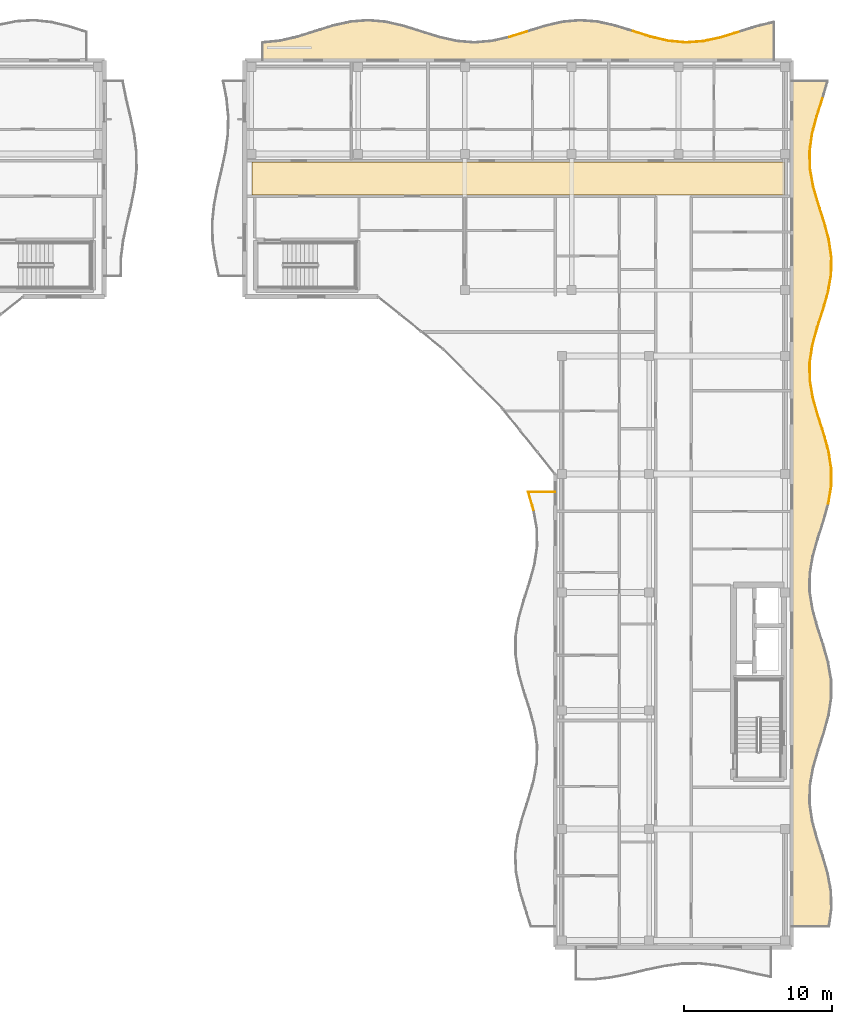
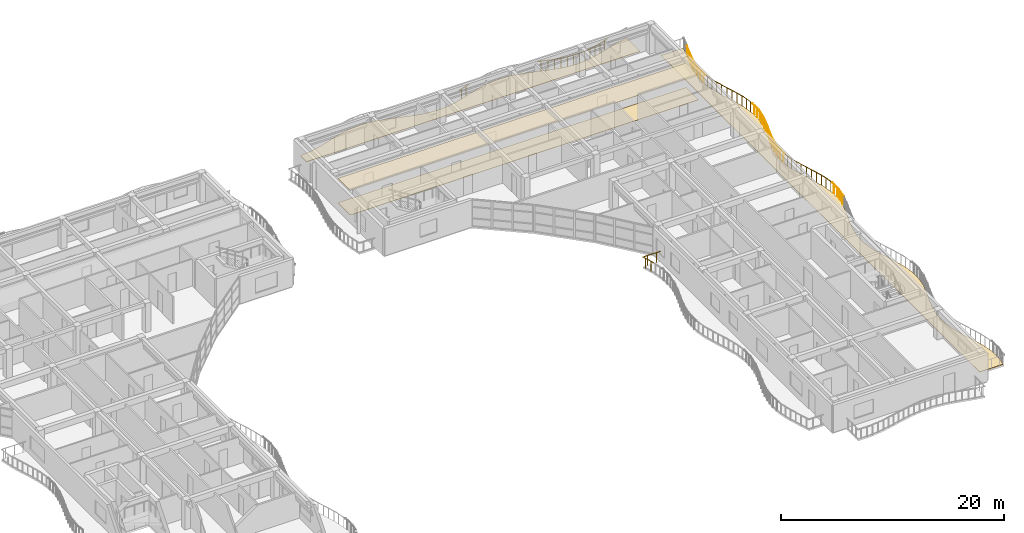
# One storey, part 75 of 76: 32 railings, 4 coverings.
"""IFC4 building model written with IfcOpenShell, lengths in metres."""

from ifc_helpers import new_model, si_unit, direction, frame, origin, origin_2d, place, context, subcontext, project, spatial, polyline, circle, outline, extrude, material, layer, layer_set, type_object, element, save


model = new_model("IFC4")

# Units and contexts
model_context = context("Model", 3, precision=1e-05, world=origin(), true_north=direction((0.0, 1.0)))
body_context = subcontext(model_context, "Body", "Model", "MODEL_VIEW")
ifc_project = project(units=[si_unit("LENGTHUNIT", "METRE"), si_unit("AREAUNIT", "SQUARE_METRE"), si_unit("VOLUMEUNIT", "CUBIC_METRE"), si_unit("PLANEANGLEUNIT", "RADIAN"), si_unit("MASSUNIT", "GRAM", prefix="KILO")], contexts=[model_context])

# Site, building, storey
site_placement = place(None, origin())
site = spatial("IfcSite", under=ifc_project, at=site_placement, CompositionType="ELEMENT")
building_placement = place(site_placement, origin())
building = spatial("IfcBuilding", under=site, at=building_placement, Name="Keldmere Railside Commons", CompositionType="ELEMENT")
storey_placement = place(building_placement, frame((0.0, 0.0, 13.760009765625)))
storey = spatial("IfcBuildingStorey", under=building, at=storey_placement, Name="L04", CompositionType="ELEMENT", Elevation=13.760009765625)

# Railings
ifc_material_1 = material(Name="Steel F-24 (S235)", Category="steel")
railing_type = type_object("IfcRailingType", Name="Balcony & Terrace Steel Balustrade 1100", PredefinedType="BALUSTRADE", material=ifc_material_1)
railing_1_placement = place(storey_placement, frame((164.9033203125, 117.572021484375, 0.0)))
element("IfcRailing", 1, at=railing_1_placement, inside=storey, type_object=railing_type, Name="GR-1 GRD-L04-3570", PredefinedType="BALUSTRADE", context=body_context, shape_type="SweptSolid", body=[
    extrude(circle(Radius=0.02392578125, at=origin_2d()), frame((0.0, 0.0, 1.076171875), z_axis=(0.954618876853, 0.297830152864, 0.0), x_axis=(-0.297830152864, 0.954618876853, 0.0)), (0.0, 0.0, 1.0), 1.25),
    extrude(circle(Radius=0.02099609375, at=origin_2d()), frame((0.29833984375, 0.093017578125, 0.0)), (0.0, 0.0, 1.0), 1.048095703125),
    extrude(circle(Radius=0.02099609375, at=origin_2d()), frame((0.89501953125, 0.279296875, 0.0)), (0.0, 0.0, 1.0), 1.048095703125),
])
railing_2_placement = place(storey_placement, frame((173.255126953125, 117.96923828125, 0.0)))
element("IfcRailing", 2, at=railing_2_placement, inside=storey, type_object=railing_type, Name="GR-1 GRD-L04-3577", PredefinedType="BALUSTRADE", context=body_context, shape_type="SweptSolid", body=[
    extrude(circle(Radius=0.02392578125, at=origin_2d()), frame((0.0, 0.0, 1.076171875), z_axis=(0.953877200015, -0.30019708075, 0.0), x_axis=(0.30019708075, 0.953877200015, 0.0)), (0.0, 0.0, 1.0), 1.250732421875),
    extrude(circle(Radius=0.02099609375, at=origin_2d()), frame((0.29833984375, -0.09375, 0.0)), (0.0, 0.0, 1.0), 1.048095703125),
    extrude(circle(Radius=0.02099609375, at=origin_2d()), frame((0.894775390625, -0.28173828125, 0.0)), (0.0, 0.0, 1.0), 1.048095703125),
])
railing_3_placement = place(storey_placement, frame((174.4482421875, 117.59375, 0.0)))
element("IfcRailing", 3, at=railing_3_placement, inside=storey, type_object=railing_type, Name="GR-1 GRD-L04-3578", PredefinedType="BALUSTRADE", context=body_context, shape_type="SweptSolid", body=[
    extrude(circle(Radius=0.02392578125, at=origin_2d()), frame((0.0, 0.0, 1.076171875), z_axis=(0.97332305394, -0.229438951942, 0.0), x_axis=(0.229438951942, 0.97332305394, 0.0)), (0.0, 0.0, 1.0), 1.225830078125),
    extrude(circle(Radius=0.02099609375, at=origin_2d()), frame((0.29833984375, -0.0703125, 0.0)), (0.0, 0.0, 1.0), 1.048095703125),
    extrude(circle(Radius=0.02099609375, at=origin_2d()), frame((0.894775390625, -0.2109375, 0.0)), (0.0, 0.0, 1.0), 1.048095703125),
])
railing_4_placement = place(storey_placement, frame((175.641357421875, 117.3125, 0.0)))
element("IfcRailing", 4, at=railing_4_placement, inside=storey, type_object=railing_type, Name="GR-1 GRD-L04-3579", PredefinedType="BALUSTRADE", context=body_context, shape_type="SweptSolid", body=[
    extrude(circle(Radius=0.02392578125, at=origin_2d()), frame((0.0, 0.0, 1.076171875), z_axis=(0.995618236686, -0.093511105103, 0.0), x_axis=(0.093511105103, 0.995618236686, 0.0)), (0.0, 0.0, 1.0), 1.198486328125),
    extrude(circle(Radius=0.02099609375, at=origin_2d()), frame((0.29833984375, -0.028076171875, 0.0)), (0.0, 0.0, 1.0), 1.048095703125),
    extrude(circle(Radius=0.02099609375, at=origin_2d()), frame((0.894775390625, -0.083984375, 0.0)), (0.0, 0.0, 1.0), 1.048095703125),
])
railing_5_placement = place(storey_placement, frame((176.83447265625, 117.200439453125, 0.0)))
element("IfcRailing", 5, at=railing_5_placement, inside=storey, type_object=railing_type, Name="GR-1 GRD-L04-3580", PredefinedType="BALUSTRADE", context=body_context, shape_type="SweptSolid", body=[
    extrude(circle(Radius=0.02392578125, at=origin_2d()), frame((0.0, 0.0, 1.076171875), z_axis=(0.99738671457, 0.072247779201, 0.0), x_axis=(-0.072247779201, 0.99738671457, 0.0)), (0.0, 0.0, 1.0), 1.1962890625),
    extrude(circle(Radius=0.02099609375, at=origin_2d()), frame((0.29833984375, 0.021484375, 0.0)), (0.0, 0.0, 1.0), 1.048095703125),
    extrude(circle(Radius=0.02099609375, at=origin_2d()), frame((0.894775390625, 0.06494140625, 0.0)), (0.0, 0.0, 1.0), 1.048095703125),
])
railing_6_placement = place(storey_placement, frame((178.027587890625, 117.286865234375, 0.0)))
element("IfcRailing", 6, at=railing_6_placement, inside=storey, type_object=railing_type, Name="GR-1 GRD-L04-3581", PredefinedType="BALUSTRADE", context=body_context, shape_type="SweptSolid", body=[
    extrude(circle(Radius=0.02392578125, at=origin_2d()), frame((0.0, 0.0, 1.076171875), z_axis=(0.97673413336, 0.21445380092, 0.0), x_axis=(-0.21445380092, 0.97673413336, 0.0)), (0.0, 0.0, 1.0), 1.221435546875),
    extrude(circle(Radius=0.02099609375, at=origin_2d()), frame((0.29833984375, 0.0654296875, 0.0)), (0.0, 0.0, 1.0), 1.048095703125),
    extrude(circle(Radius=0.02099609375, at=origin_2d()), frame((0.894775390625, 0.196533203125, 0.0)), (0.0, 0.0, 1.0), 1.048095703125),
])
railing_7_placement = place(storey_placement, frame((179.220703125, 117.548828125, 0.0)))
element("IfcRailing", 7, at=railing_7_placement, inside=storey, type_object=railing_type, Name="GR-1 GRD-L04-3582", PredefinedType="BALUSTRADE", context=body_context, shape_type="SweptSolid", body=[
    extrude(circle(Radius=0.02392578125, at=origin_2d()), frame((0.0, 0.0, 1.076171875), z_axis=(0.955486849808, 0.295033692728, 0.0), x_axis=(-0.295033692728, 0.955486849808, 0.0)), (0.0, 0.0, 1.0), 1.248779296875),
    extrude(circle(Radius=0.02099609375, at=origin_2d()), frame((0.29833984375, 0.092041015625, 0.0)), (0.0, 0.0, 1.0), 1.048095703125),
    extrude(circle(Radius=0.02099609375, at=origin_2d()), frame((0.894775390625, 0.2763671875, 0.0)), (0.0, 0.0, 1.0), 1.048095703125),
])
railing_8_placement = place(storey_placement, frame((166.53662109375, 85.574951171875, 0.0)))
element("IfcRailing", 8, at=railing_8_placement, inside=storey, type_object=railing_type, Name="GR-1 GRD-L04-3610", PredefinedType="BALUSTRADE", context=body_context, shape_type="SweptSolid", body=[
    extrude(circle(Radius=0.02392578125, at=origin_2d()), frame((0.0, 0.0, 1.076171875), z_axis=(-0.280954609936, 0.959721056951, 0.0), x_axis=(-0.959721056951, -0.280954609936, 0.0)), (0.0, 0.0, 1.0), 1.276611328125),
    extrude(circle(Radius=0.02099609375, at=origin_2d()), frame((-0.089599609375, 0.30615234375, 0.0)), (0.0, 0.0, 1.0), 1.048095703125),
    extrude(circle(Radius=0.02099609375, at=origin_2d()), frame((-0.26904296875, 0.9189453125, 0.0)), (0.0, 0.0, 1.0), 1.048095703125),
])
railing_9_placement = place(storey_placement, frame((166.177978515625, 86.800048828125, 0.0)))
element("IfcRailing", 9, at=railing_9_placement, inside=storey, type_object=railing_type, Name="GR-1 GRD-L04-3611", PredefinedType="BALUSTRADE", context=body_context, shape_type="SweptSolid", body=[
    extrude(circle(Radius=0.02392578125, at=origin_2d()), frame((0.0, 0.0, 1.076171875), z_axis=(1.0, 0.0, 0.0), x_axis=(0.0, 1.0, 0.0)), (0.0, 0.0, 1.0), 1.822021484375),
    extrude(circle(Radius=0.02099609375, at=origin_2d()), frame((0.45556640625, 0.0, 0.0)), (0.0, 0.0, 1.0), 1.048095703125),
    extrude(circle(Radius=0.02099609375, at=origin_2d()), frame((1.366455078125, 0.0, 0.0)), (0.0, 0.0, 1.0), 1.048095703125),
])
railing_10_placement = place(storey_placement, frame((186.477294921875, 86.0, 0.0)))
element("IfcRailing", 10, at=railing_10_placement, inside=storey, type_object=railing_type, Name="GR-1 GRD-L04-3637", PredefinedType="BALUSTRADE", context=body_context, shape_type="SweptSolid", body=[
    extrude(circle(Radius=0.02392578125, at=origin_2d()), frame((0.0, 0.0, 1.076171875), z_axis=(0.161742750391, 0.986832955822, 0.0), x_axis=(-0.986832955822, 0.161742750391, 0.0)), (0.0, 0.0, 1.0), 1.20751953125),
    extrude(circle(Radius=0.02099609375, at=origin_2d()), frame((0.048828125, 0.2978515625, 0.0)), (0.0, 0.0, 1.0), 1.048095703125),
    extrude(circle(Radius=0.02099609375, at=origin_2d()), frame((0.146484375, 0.893798828125, 0.0)), (0.0, 0.0, 1.0), 1.048095703125),
])
railing_11_placement = place(storey_placement, frame((186.672607421875, 87.191650390625, 0.0)))
element("IfcRailing", 11, at=railing_11_placement, inside=storey, type_object=railing_type, Name="GR-1 GRD-L04-3638", PredefinedType="BALUSTRADE", context=body_context, shape_type="SweptSolid", body=[
    extrude(circle(Radius=0.02392578125, at=origin_2d()), frame((0.0, 0.0, 1.076171875), z_axis=(0.003687743824, 0.99999320025, 0.0), x_axis=(-0.99999320025, 0.003687743824, 0.0)), (0.0, 0.0, 1.0), 1.191650390625),
    extrude(circle(Radius=0.02099609375, at=origin_2d()), frame((0.0009765625, 0.2978515625, 0.0)), (0.0, 0.0, 1.0), 1.048095703125),
    extrude(circle(Radius=0.02099609375, at=origin_2d()), frame((0.00341796875, 0.893798828125, 0.0)), (0.0, 0.0, 1.0), 1.048095703125),
])
railing_12_placement = place(storey_placement, frame((186.677001953125, 88.38330078125, 0.0)))
element("IfcRailing", 12, at=railing_12_placement, inside=storey, type_object=railing_type, Name="GR-1 GRD-L04-3639", PredefinedType="BALUSTRADE", context=body_context, shape_type="SweptSolid", body=[
    extrude(circle(Radius=0.02392578125, at=origin_2d()), frame((0.0, 0.0, 1.076171875), z_axis=(-0.155827474134, 0.987784287335, 0.0), x_axis=(-0.987784287335, -0.155827474134, 0.0)), (0.0, 0.0, 1.0), 1.206298828125),
    extrude(circle(Radius=0.02099609375, at=origin_2d()), frame((-0.046875, 0.2978515625, 0.0)), (0.0, 0.0, 1.0), 1.048095703125),
    extrude(circle(Radius=0.02099609375, at=origin_2d()), frame((-0.14111328125, 0.893798828125, 0.0)), (0.0, 0.0, 1.0), 1.048095703125),
])
railing_13_placement = place(storey_placement, frame((186.489013671875, 89.574951171875, 0.0)))
element("IfcRailing", 13, at=railing_13_placement, inside=storey, type_object=railing_type, Name="GR-1 GRD-L04-3640", PredefinedType="BALUSTRADE", context=body_context, shape_type="SweptSolid", body=[
    extrude(circle(Radius=0.02392578125, at=origin_2d()), frame((0.0, 0.0, 1.076171875), z_axis=(-0.267124507131, 0.963662024618, 0.0), x_axis=(-0.963662024618, -0.267124507131, 0.0)), (0.0, 0.0, 1.0), 1.236572265625),
    extrude(circle(Radius=0.02099609375, at=origin_2d()), frame((-0.08251953125, 0.2978515625, 0.0)), (0.0, 0.0, 1.0), 1.048095703125),
    extrude(circle(Radius=0.02099609375, at=origin_2d()), frame((-0.247802734375, 0.893798828125, 0.0)), (0.0, 0.0, 1.0), 1.048095703125),
])
railing_14_placement = place(storey_placement, frame((186.15869140625, 90.7666015625, 0.0)))
element("IfcRailing", 14, at=railing_14_placement, inside=storey, type_object=railing_type, Name="GR-1 GRD-L04-3641", PredefinedType="BALUSTRADE", context=body_context, shape_type="SweptSolid", body=[
    extrude(circle(Radius=0.02392578125, at=origin_2d()), frame((0.0, 0.0, 1.076171875), z_axis=(-0.307617856701, 0.951509986411, 0.0), x_axis=(-0.951509986411, -0.307617856701, 0.0)), (0.0, 0.0, 1.0), 1.25244140625),
    extrude(circle(Radius=0.02099609375, at=origin_2d()), frame((-0.09619140625, 0.2978515625, 0.0)), (0.0, 0.0, 1.0), 1.048095703125),
    extrude(circle(Radius=0.02099609375, at=origin_2d()), frame((-0.2890625, 0.893798828125, 0.0)), (0.0, 0.0, 1.0), 1.048095703125),
])
railing_15_placement = place(storey_placement, frame((185.7734375, 91.958251953125, 0.0)))
element("IfcRailing", 15, at=railing_15_placement, inside=storey, type_object=railing_type, Name="GR-1 GRD-L04-3642", PredefinedType="BALUSTRADE", context=body_context, shape_type="SweptSolid", body=[
    extrude(circle(Radius=0.02392578125, at=origin_2d()), frame((0.0, 0.0, 1.076171875), z_axis=(-0.273523663291, 0.961865274152, 0.0), x_axis=(-0.961865274152, -0.273523663291, 0.0)), (0.0, 0.0, 1.0), 1.239013671875),
    extrude(circle(Radius=0.02099609375, at=origin_2d()), frame((-0.084716796875, 0.2978515625, 0.0)), (0.0, 0.0, 1.0), 1.048095703125),
    extrude(circle(Radius=0.02099609375, at=origin_2d()), frame((-0.254150390625, 0.893798828125, 0.0)), (0.0, 0.0, 1.0), 1.048095703125),
])
railing_16_placement = place(storey_placement, frame((185.4345703125, 93.14990234375, 0.0)))
element("IfcRailing", 16, at=railing_16_placement, inside=storey, type_object=railing_type, Name="GR-1 GRD-L04-3643", PredefinedType="BALUSTRADE", context=body_context, shape_type="SweptSolid", body=[
    extrude(circle(Radius=0.02392578125, at=origin_2d()), frame((0.0, 0.0, 1.076171875), z_axis=(-0.167607269788, 0.985853844702, 0.0), x_axis=(-0.985853844702, -0.167607269788, 0.0)), (0.0, 0.0, 1.0), 1.208984375),
    extrude(circle(Radius=0.02099609375, at=origin_2d()), frame((-0.05078125, 0.2978515625, 0.0)), (0.0, 0.0, 1.0), 1.048095703125),
    extrude(circle(Radius=0.02099609375, at=origin_2d()), frame((-0.15185546875, 0.89404296875, 0.0)), (0.0, 0.0, 1.0), 1.048095703125),
])
railing_17_placement = place(storey_placement, frame((185.23193359375, 94.341796875, 0.0)))
element("IfcRailing", 17, at=railing_17_placement, inside=storey, type_object=railing_type, Name="GR-1 GRD-L04-3644", PredefinedType="BALUSTRADE", context=body_context, shape_type="SweptSolid", body=[
    extrude(circle(Radius=0.02392578125, at=origin_2d()), frame((0.0, 0.0, 1.076171875), z_axis=(-0.010655132805, 0.999943232461, 0.0), x_axis=(-0.999943232461, -0.010655132805, 0.0)), (0.0, 0.0, 1.0), 1.19140625),
    extrude(circle(Radius=0.02099609375, at=origin_2d()), frame((-0.003173828125, 0.2978515625, 0.0)), (0.0, 0.0, 1.0), 1.048095703125),
    extrude(circle(Radius=0.02099609375, at=origin_2d()), frame((-0.009521484375, 0.8935546875, 0.0)), (0.0, 0.0, 1.0), 1.048095703125),
])
railing_18_placement = place(storey_placement, frame((185.21923828125, 95.533203125, 0.0)))
element("IfcRailing", 18, at=railing_18_placement, inside=storey, type_object=railing_type, Name="GR-1 GRD-L04-3645", PredefinedType="BALUSTRADE", context=body_context, shape_type="SweptSolid", body=[
    extrude(circle(Radius=0.02392578125, at=origin_2d()), frame((0.0, 0.0, 1.076171875), z_axis=(0.1496673906, 0.988736401773, 0.0), x_axis=(-0.988736401773, 0.1496673906, 0.0)), (0.0, 0.0, 1.0), 1.20556640625),
    extrude(circle(Radius=0.02099609375, at=origin_2d()), frame((0.045166015625, 0.2978515625, 0.0)), (0.0, 0.0, 1.0), 1.048095703125),
    extrude(circle(Radius=0.02099609375, at=origin_2d()), frame((0.13525390625, 0.89404296875, 0.0)), (0.0, 0.0, 1.0), 1.048095703125),
])
railing_19_placement = place(storey_placement, frame((185.399658203125, 96.72509765625, 0.0)))
element("IfcRailing", 19, at=railing_19_placement, inside=storey, type_object=railing_type, Name="GR-1 GRD-L04-3646", PredefinedType="BALUSTRADE", context=body_context, shape_type="SweptSolid", body=[
    extrude(circle(Radius=0.02392578125, at=origin_2d()), frame((0.0, 0.0, 1.076171875), z_axis=(0.263819639005, 0.964572028454, 0.0), x_axis=(-0.964572028454, 0.263819639005, 0.0)), (0.0, 0.0, 1.0), 1.2353515625),
    extrude(circle(Radius=0.02099609375, at=origin_2d()), frame((0.08154296875, 0.2978515625, 0.0)), (0.0, 0.0, 1.0), 1.048095703125),
    extrude(circle(Radius=0.02099609375, at=origin_2d()), frame((0.244384765625, 0.893798828125, 0.0)), (0.0, 0.0, 1.0), 1.048095703125),
])
railing_20_placement = place(storey_placement, frame((185.7255859375, 97.916748046875, 0.0)))
element("IfcRailing", 20, at=railing_20_placement, inside=storey, type_object=railing_type, Name="GR-1 GRD-L04-3647", PredefinedType="BALUSTRADE", context=body_context, shape_type="SweptSolid", body=[
    extrude(circle(Radius=0.02392578125, at=origin_2d()), frame((0.0, 0.0, 1.076171875), z_axis=(0.307441346299, 0.951567033154, 0.0), x_axis=(-0.951567033154, 0.307441346299, 0.0)), (0.0, 0.0, 1.0), 1.252197265625),
    extrude(circle(Radius=0.02099609375, at=origin_2d()), frame((0.09619140625, 0.2978515625, 0.0)), (0.0, 0.0, 1.0), 1.048095703125),
    extrude(circle(Radius=0.02099609375, at=origin_2d()), frame((0.288818359375, 0.893798828125, 0.0)), (0.0, 0.0, 1.0), 1.048095703125),
])
railing_21_placement = place(storey_placement, frame((186.110595703125, 99.1083984375, 0.0)))
element("IfcRailing", 21, at=railing_21_placement, inside=storey, type_object=railing_type, Name="GR-1 GRD-L04-3648", PredefinedType="BALUSTRADE", context=body_context, shape_type="SweptSolid", body=[
    extrude(circle(Radius=0.02392578125, at=origin_2d()), frame((0.0, 0.0, 1.076171875), z_axis=(0.276436998002, 0.9610320422, 0.0), x_axis=(-0.9610320422, 0.276436998002, 0.0)), (0.0, 0.0, 1.0), 1.239990234375),
    extrude(circle(Radius=0.02099609375, at=origin_2d()), frame((0.085693359375, 0.2978515625, 0.0)), (0.0, 0.0, 1.0), 1.048095703125),
    extrude(circle(Radius=0.02099609375, at=origin_2d()), frame((0.257080078125, 0.893798828125, 0.0)), (0.0, 0.0, 1.0), 1.048095703125),
])
railing_22_placement = place(storey_placement, frame((186.453369140625, 100.300048828125, 0.0)))
element("IfcRailing", 22, at=railing_22_placement, inside=storey, type_object=railing_type, Name="GR-1 GRD-L04-3649", PredefinedType="BALUSTRADE", context=body_context, shape_type="SweptSolid", body=[
    extrude(circle(Radius=0.02392578125, at=origin_2d()), frame((0.0, 0.0, 1.076171875), z_axis=(0.173324888306, 0.984864702938, 0.0), x_axis=(-0.984864702938, 0.173324888306, 0.0)), (0.0, 0.0, 1.0), 1.2099609375),
    extrude(circle(Radius=0.02099609375, at=origin_2d()), frame((0.052490234375, 0.2978515625, 0.0)), (0.0, 0.0, 1.0), 1.048095703125),
    extrude(circle(Radius=0.02099609375, at=origin_2d()), frame((0.1572265625, 0.893798828125, 0.0)), (0.0, 0.0, 1.0), 1.048095703125),
])
railing_23_placement = place(storey_placement, frame((186.6630859375, 101.49169921875, 0.0)))
element("IfcRailing", 23, at=railing_23_placement, inside=storey, type_object=railing_type, Name="GR-1 GRD-L04-3650", PredefinedType="BALUSTRADE", context=body_context, shape_type="SweptSolid", body=[
    extrude(circle(Radius=0.02392578125, at=origin_2d()), frame((0.0, 0.0, 1.076171875), z_axis=(0.017821385623, 0.999841186496, 0.0), x_axis=(-0.999841186496, 0.017821385623, 0.0)), (0.0, 0.0, 1.0), 1.19189453125),
    extrude(circle(Radius=0.02099609375, at=origin_2d()), frame((0.00537109375, 0.2978515625, 0.0)), (0.0, 0.0, 1.0), 1.048095703125),
    extrude(circle(Radius=0.02099609375, at=origin_2d()), frame((0.015869140625, 0.893798828125, 0.0)), (0.0, 0.0, 1.0), 1.048095703125),
])
railing_24_placement = place(storey_placement, frame((186.684326171875, 102.683349609375, 0.0)))
element("IfcRailing", 24, at=railing_24_placement, inside=storey, type_object=railing_type, Name="GR-1 GRD-L04-3651", PredefinedType="BALUSTRADE", context=body_context, shape_type="SweptSolid", body=[
    extrude(circle(Radius=0.02392578125, at=origin_2d()), frame((0.0, 0.0, 1.076171875), z_axis=(-0.143549947934, 0.989643073258, 0.0), x_axis=(-0.989643073258, -0.143549947934, 0.0)), (0.0, 0.0, 1.0), 1.2041015625),
    extrude(circle(Radius=0.02099609375, at=origin_2d()), frame((-0.043212890625, 0.2978515625, 0.0)), (0.0, 0.0, 1.0), 1.048095703125),
    extrude(circle(Radius=0.02099609375, at=origin_2d()), frame((-0.129638671875, 0.893798828125, 0.0)), (0.0, 0.0, 1.0), 1.048095703125),
])
railing_25_placement = place(storey_placement, frame((186.511474609375, 103.875, 0.0)))
element("IfcRailing", 25, at=railing_25_placement, inside=storey, type_object=railing_type, Name="GR-1 GRD-L04-3652", PredefinedType="BALUSTRADE", context=body_context, shape_type="SweptSolid", body=[
    extrude(circle(Radius=0.02392578125, at=origin_2d()), frame((0.0, 0.0, 1.076171875), z_axis=(-0.260321060661, 0.965522110247, 0.0), x_axis=(-0.965522110247, -0.260321060661, 0.0)), (0.0, 0.0, 1.0), 1.234130859375),
    extrude(circle(Radius=0.02099609375, at=origin_2d()), frame((-0.080322265625, 0.2978515625, 0.0)), (0.0, 0.0, 1.0), 1.048095703125),
    extrude(circle(Radius=0.02099609375, at=origin_2d()), frame((-0.240966796875, 0.893798828125, 0.0)), (0.0, 0.0, 1.0), 1.048095703125),
])
railing_26_placement = place(storey_placement, frame((186.190185546875, 105.066650390625, 0.0)))
element("IfcRailing", 26, at=railing_26_placement, inside=storey, type_object=railing_type, Name="GR-1 GRD-L04-3653", PredefinedType="BALUSTRADE", context=body_context, shape_type="SweptSolid", body=[
    extrude(circle(Radius=0.02392578125, at=origin_2d()), frame((0.0, 0.0, 1.076171875), z_axis=(-0.307264804156, 0.951624053987, 0.0), x_axis=(-0.951624053987, -0.307264804156, 0.0)), (0.0, 0.0, 1.0), 1.252197265625),
    extrude(circle(Radius=0.02099609375, at=origin_2d()), frame((-0.09619140625, 0.2978515625, 0.0)), (0.0, 0.0, 1.0), 1.048095703125),
    extrude(circle(Radius=0.02099609375, at=origin_2d()), frame((-0.28857421875, 0.893798828125, 0.0)), (0.0, 0.0, 1.0), 1.048095703125),
])
railing_27_placement = place(storey_placement, frame((185.805419921875, 106.25830078125, 0.0)))
element("IfcRailing", 27, at=railing_27_placement, inside=storey, type_object=railing_type, Name="GR-1 GRD-L04-3654", PredefinedType="BALUSTRADE", context=body_context, shape_type="SweptSolid", body=[
    extrude(circle(Radius=0.02392578125, at=origin_2d()), frame((0.0, 0.0, 1.076171875), z_axis=(-0.279342731432, 0.960191459239, 0.0), x_axis=(-0.960191459239, -0.279342731432, 0.0)), (0.0, 0.0, 1.0), 1.240966796875),
    extrude(circle(Radius=0.02099609375, at=origin_2d()), frame((-0.086669921875, 0.2978515625, 0.0)), (0.0, 0.0, 1.0), 1.048095703125),
    extrude(circle(Radius=0.02099609375, at=origin_2d()), frame((-0.260009765625, 0.893798828125, 0.0)), (0.0, 0.0, 1.0), 1.048095703125),
])
railing_28_placement = place(storey_placement, frame((185.458740234375, 107.449951171875, 0.0)))
element("IfcRailing", 28, at=railing_28_placement, inside=storey, type_object=railing_type, Name="GR-1 GRD-L04-3655", PredefinedType="BALUSTRADE", context=body_context, shape_type="SweptSolid", body=[
    extrude(circle(Radius=0.02392578125, at=origin_2d()), frame((0.0, 0.0, 1.076171875), z_axis=(-0.178796744612, 0.983886032077, 0.0), x_axis=(-0.983886032077, -0.178796744612, 0.0)), (0.0, 0.0, 1.0), 1.211181640625),
    extrude(circle(Radius=0.02099609375, at=origin_2d()), frame((-0.05419921875, 0.2978515625, 0.0)), (0.0, 0.0, 1.0), 1.048095703125),
    extrude(circle(Radius=0.02099609375, at=origin_2d()), frame((-0.162353515625, 0.893798828125, 0.0)), (0.0, 0.0, 1.0), 1.048095703125),
])
railing_29_placement = place(storey_placement, frame((185.2421875, 108.6416015625, 0.0)))
element("IfcRailing", 29, at=railing_29_placement, inside=storey, type_object=railing_type, Name="GR-1 GRD-L04-3656", PredefinedType="BALUSTRADE", context=body_context, shape_type="SweptSolid", body=[
    extrude(circle(Radius=0.02392578125, at=origin_2d()), frame((0.0, 0.0, 1.076171875), z_axis=(-0.024782388282, 0.999692869451, 0.0), x_axis=(-0.999692869451, -0.024782388282, 0.0)), (0.0, 0.0, 1.0), 1.19189453125),
    extrude(circle(Radius=0.02099609375, at=origin_2d()), frame((-0.00732421875, 0.2978515625, 0.0)), (0.0, 0.0, 1.0), 1.048095703125),
    extrude(circle(Radius=0.02099609375, at=origin_2d()), frame((-0.022216796875, 0.893798828125, 0.0)), (0.0, 0.0, 1.0), 1.048095703125),
])
railing_30_placement = place(storey_placement, frame((185.212646484375, 109.833251953125, 0.0)))
element("IfcRailing", 30, at=railing_30_placement, inside=storey, type_object=railing_type, Name="GR-1 GRD-L04-3657", PredefinedType="BALUSTRADE", context=body_context, shape_type="SweptSolid", body=[
    extrude(circle(Radius=0.02392578125, at=origin_2d()), frame((0.0, 0.0, 1.076171875), z_axis=(0.137385867198, 0.990517603829, 0.0), x_axis=(-0.990517603829, 0.137385867198, 0.0)), (0.0, 0.0, 1.0), 1.203125),
    extrude(circle(Radius=0.02099609375, at=origin_2d()), frame((0.041259765625, 0.2978515625, 0.0)), (0.0, 0.0, 1.0), 1.048095703125),
    extrude(circle(Radius=0.02099609375, at=origin_2d()), frame((0.1240234375, 0.893798828125, 0.0)), (0.0, 0.0, 1.0), 1.048095703125),
])
railing_31_placement = place(storey_placement, frame((185.3779296875, 111.02490234375, 0.0)))
element("IfcRailing", 31, at=railing_31_placement, inside=storey, type_object=railing_type, Name="GR-1 GRD-L04-3658", PredefinedType="BALUSTRADE", context=body_context, shape_type="SweptSolid", body=[
    extrude(circle(Radius=0.02392578125, at=origin_2d()), frame((0.0, 0.0, 1.076171875), z_axis=(0.256763062775, 0.966474381241, 0.0), x_axis=(-0.966474381241, 0.256763062775, 0.0)), (0.0, 0.0, 1.0), 1.233154296875),
    extrude(circle(Radius=0.02099609375, at=origin_2d()), frame((0.0791015625, 0.2978515625, 0.0)), (0.0, 0.0, 1.0), 1.048095703125),
    extrude(circle(Radius=0.02099609375, at=origin_2d()), frame((0.237548828125, 0.89404296875, 0.0)), (0.0, 0.0, 1.0), 1.048095703125),
])
railing_32_placement = place(storey_placement, frame((185.694580078125, 112.216796875, 0.0)))
element("IfcRailing", 32, at=railing_32_placement, inside=storey, type_object=railing_type, Name="GR-1 GRD-L04-3659", PredefinedType="BALUSTRADE", context=body_context, shape_type="SweptSolid", body=[
    extrude(circle(Radius=0.02392578125, at=origin_2d()), frame((0.0, 0.0, 1.076171875), z_axis=(0.306791927421, 0.95177660891, 0.0), x_axis=(-0.95177660891, 0.306791927421, 0.0)), (0.0, 0.0, 1.0), 1.251708984375),
    extrude(circle(Radius=0.02099609375, at=origin_2d()), frame((0.095947265625, 0.2978515625, 0.0)), (0.0, 0.0, 1.0), 1.048095703125),
    extrude(circle(Radius=0.02099609375, at=origin_2d()), frame((0.2880859375, 0.8935546875, 0.0)), (0.0, 0.0, 1.0), 1.048095703125),
])

# Coverings
ifc_material_2 = material(Name="Polished Terrazzo Tile Flooring", Category="concrete")
ifc_layer_1 = layer(ifc_material_2, 0.030029296875, Name="Polished Terrazzo Floor Finish 30")
ifc_layer_set_1 = layer_set([ifc_layer_1], Name="Polished Terrazzo Tile Flooring")
covering_type_1 = type_object("IfcCoveringType", Name="Polished Terrazzo Floor Finish 30", PredefinedType="FLOORING", material=ifc_layer_set_1)
covering_1_placement = place(storey_placement, origin())
element("IfcCovering", 33, at=covering_1_placement, inside=storey, type_object=covering_type_1, Name="FLR-1 Corridor Terrazzo A-L04", PredefinedType="FLOORING", context=body_context, shape_type="SweptSolid", body=[
    extrude(outline(polyline([(147.47998046875, 106.8798828125), (183.52001953125, 106.8798828125), (183.52001953125, 109.1201171875), (147.47998046875, 109.1201171875), (147.47998046875, 106.8798828125)])), origin(), (0.0, 0.0, 1.0), 0.030029296875),
])
ifc_material_3 = material(Name="Acoustic Mineral-Fibre Gypsum Ceiling", Category="gypsum")
ifc_layer_2 = layer(ifc_material_3, 0.02490234375, Name="Suspended Acoustic Ceiling 25")
ifc_layer_set_2 = layer_set([ifc_layer_2], Name="Acoustic Mineral-Fibre Gypsum Ceiling")
covering_type_2 = type_object("IfcCoveringType", Name="Suspended Acoustic Ceiling 25", PredefinedType="CEILING", material=ifc_layer_set_2)
covering_2_placement = place(storey_placement, frame((0.0, 0.0, 2.675048828125)))
element("IfcCovering", 34, at=covering_2_placement, inside=storey, type_object=covering_type_2, Name="CLG-1 Corridor Ceiling A-L04", PredefinedType="CEILING", context=body_context, shape_type="SweptSolid", body=[
    extrude(outline(polyline([(147.47998046875, 106.8798828125), (183.52001953125, 106.8798828125), (183.52001953125, 109.1201171875), (147.47998046875, 109.1201171875), (147.47998046875, 106.8798828125)])), origin(), (0.0, 0.0, 1.0), 0.02490234375),
])
ifc_material_4 = material(Name="White Precast Concrete C35/45", Category="concrete")
ifc_layer_3 = layer(ifc_material_4, 0.044921875, Name="White Architectural Balcony Ribbon Cladding 45")
ifc_layer_set_3 = layer_set([ifc_layer_3], Name="White Precast Concrete C35/45")
covering_type_3 = type_object("IfcCoveringType", Name="White Architectural Balcony Ribbon Cladding 45", PredefinedType="FLOORING", material=ifc_layer_set_3)
covering_3_placement = place(storey_placement, origin())
element("IfcCovering", 35, at=covering_3_placement, inside=storey, type_object=covering_type_3, Name="CLG-WB A L04 N White Balcony Ribbon", PredefinedType="FLOORING", context=body_context, shape_type="SweptSolid", body=[
    extrude(outline(polyline([(182.760009765625, 116.0400390625), (182.760009765625, 118.529296875), (181.61767578125, 118.255615234375), (180.42578125, 117.879150390625), (180.425537109375, 117.879150390625), (179.232421875, 117.5107421875), (179.229248046875, 117.509765625), (178.0361328125, 117.247802734375), (178.030517578125, 117.246826171875), (176.83740234375, 117.160400390625), (176.833984375, 117.160400390625), (176.830810546875, 117.16064453125), (175.6376953125, 117.272705078125), (175.632080078125, 117.273681640625), (174.439208984375, 117.5546875), (174.436279296875, 117.555419921875), (173.243408203125, 117.930908203125), (172.0517578125, 118.30078125), (170.863037109375, 118.56689453125), (169.676025390625, 118.659912109375), (168.489013671875, 118.5546875), (167.30029296875, 118.279541015625), (166.108642578125, 117.90625), (166.1083984375, 117.90625), (164.915283203125, 117.533935546875), (164.912353515625, 117.533203125), (163.71923828125, 117.260986328125), (163.713623046875, 117.260009765625), (162.5205078125, 117.16015625), (162.51708984375, 117.159912109375), (162.513916015625, 117.16015625), (161.32080078125, 117.2587890625), (161.315185546875, 117.259765625), (160.1220703125, 117.531005859375), (160.119140625, 117.531982421875), (158.926025390625, 117.90380859375), (158.92578125, 117.90380859375), (157.734375, 118.277587890625), (156.54541015625, 118.5537109375), (155.3583984375, 118.659912109375), (154.17138671875, 118.568115234375), (152.982666015625, 118.302734375), (151.791259765625, 117.93310546875), (150.59814453125, 117.5576171875), (150.595458984375, 117.556884765625), (149.40234375, 117.27490234375), (149.39697265625, 117.27392578125), (148.239990234375, 117.1640625), (148.239990234375, 116.0400390625), (182.760009765625, 116.0400390625)])), origin(), (0.0, 0.0, 1.0), 0.044921875),
])
covering_4_placement = place(storey_placement, origin())
element("IfcCovering", 36, at=covering_4_placement, inside=storey, type_object=covering_type_3, Name="CLG-WB A L04 CE White Balcony Ribbon", PredefinedType="FLOORING", context=body_context, shape_type="SweptSolid", body=[
    extrude(outline(polyline([(186.647216796875, 58.593994140625), (186.6181640625, 59.779296875), (186.402587890625, 60.9658203125), (186.05712890625, 62.155029296875), (185.67236328125, 63.345947265625), (185.671875, 63.347900390625), (185.350341796875, 64.53955078125), (185.349365234375, 64.544189453125), (185.17626953125, 65.73583984375), (185.17578125, 65.7392578125), (185.17578125, 65.742431640625), (185.19677734375, 66.93408203125), (185.197021484375, 66.93701171875), (185.197265625, 66.940185546875), (185.40673828125, 68.1318359375), (185.40771484375, 68.135986328125), (185.750244140625, 69.327880859375), (185.75048828125, 69.3291015625), (186.135498046875, 70.519775390625), (186.460693359375, 71.708251953125), (186.640625, 72.89453125), (186.628173828125, 74.07958984375), (186.4267578125, 75.26611328125), (186.0888671875, 76.455078125), (185.70361328125, 77.64599609375), (185.703125, 77.647705078125), (185.372802734375, 78.83935546875), (185.371826171875, 78.84375), (185.18359375, 80.035400390625), (185.183349609375, 80.03857421875), (185.18310546875, 80.041748046875), (185.187255859375, 81.2333984375), (185.1875, 81.236572265625), (185.187744140625, 81.23974609375), (185.3828125, 82.431396484375), (185.3837890625, 82.435791015625), (185.718505859375, 83.62744140625), (185.71875, 83.62890625), (186.104248046875, 84.81982421875), (186.43798828125, 86.0087890625), (186.632568359375, 87.195068359375), (186.636962890625, 88.380126953125), (186.449951171875, 89.56640625), (186.12060546875, 90.755126953125), (185.7353515625, 91.946044921875), (185.73486328125, 91.947509765625), (185.39599609375, 93.13916015625), (185.39501953125, 93.143310546875), (185.192626953125, 94.3349609375), (185.192138671875, 94.338134765625), (185.19189453125, 94.34130859375), (185.17919921875, 95.532958984375), (185.17919921875, 95.5361328125), (185.1796875, 95.539306640625), (185.360107421875, 96.73095703125), (185.361083984375, 96.735595703125), (185.68701171875, 97.92724609375), (185.6875, 97.928955078125), (186.072509765625, 99.1201171875), (186.414306640625, 100.30908203125), (186.623291015625, 101.49560546875), (186.644287109375, 102.680908203125), (186.47216796875, 103.866943359375), (186.151611328125, 105.055419921875), (185.76708984375, 106.24609375), (185.766845703125, 106.2470703125), (185.42041015625, 107.438720703125), (185.41943359375, 107.44287109375), (185.20263671875, 108.634521484375), (185.202392578125, 108.6376953125), (185.2021484375, 108.640625), (185.172607421875, 109.832275390625), (185.172607421875, 109.835693359375), (185.173095703125, 109.8388671875), (185.33837890625, 111.030517578125), (185.339111328125, 111.035400390625), (185.65576171875, 112.22705078125), (185.656494140625, 112.22900390625), (186.040283203125, 113.420166015625), (186.375244140625, 114.56005859375), (184.0400390625, 114.56005859375), (184.0400390625, 57.43994140625), (186.48681640625, 57.43994140625), (186.647216796875, 58.593994140625)])), origin(), (0.0, 0.0, 1.0), 0.044921875),
])

save(model, "model.ifc")
